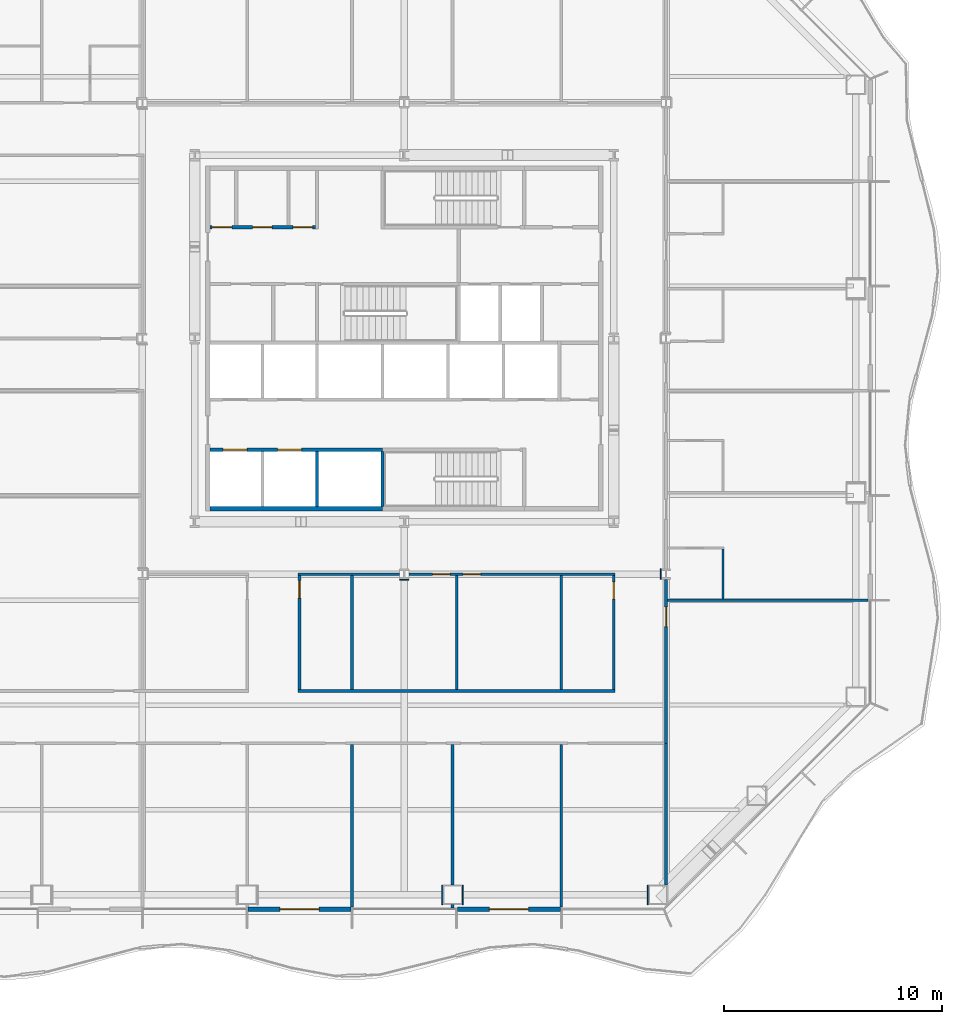
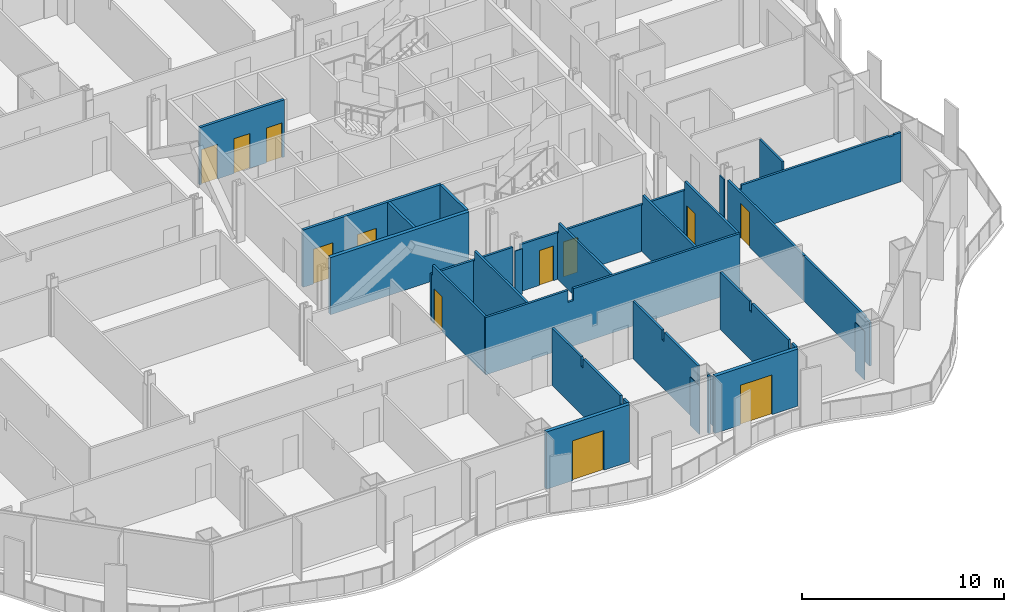
# One storey, part 9 of 18: 28 walls, 12 doors, 12 openings.
"""IFC4 building model written with IfcOpenShell, lengths in metres."""

import ifcopenshell
import ifcopenshell.guid

model = None  # the IFC model being written
_history = None  # IfcOwnerHistory: only IFC2X3 demands one
_inside = {}  # id of a spatial element -> (the spatial element, [elements in it])
_under = {}  # id of a project, library or spatial element -> (it, [spatial elements below it])
_declared = {}  # id of a project -> (the project, [libraries it declares])
_typed = {}  # id of a type object -> (the type object, [elements of that type])
_made_of = {}  # id of a material, layer set ... -> (it, [elements and type objects made of it])


def new_model(schema):
    """Start an empty IFC model of exactly this schema.

    Asked for "IFC4X3", IfcOpenShell would pick the latest addendum, in which some entities
    have other attributes; the version numbers below select the first issue.
    IFC2X3 requires an IfcOwnerHistory on every rooted entity: one is made here for all.
    """
    global model, _history
    if schema == "IFC4X3":
        model = ifcopenshell.file(schema_version=(4, 3, 0, 0))
    else:
        model = ifcopenshell.file(schema=schema)
    _inside.clear()
    _under.clear()
    _declared.clear()
    _typed.clear()
    _made_of.clear()
    _history = None
    if model.schema == "IFC2X3":
        org = make("IfcOrganization", Name="unknown")
        user = make(
            "IfcPersonAndOrganization",
            ThePerson=make("IfcPerson", FamilyName="unknown"),
            TheOrganization=org,
        )
        app = make(
            "IfcApplication",
            ApplicationDeveloper=org,
            Version="unknown",
            ApplicationFullName="unknown",
            ApplicationIdentifier="unknown",
        )
        _history = make(
            "IfcOwnerHistory",
            OwningUser=user,
            OwningApplication=app,
            ChangeAction="ADDED",
            CreationDate=0,
        )
    return model


def make(cls, **values):
    """One entity of the class cls with the attributes given. An attribute that is None is left unset."""
    return model.create_entity(
        cls, **{name: value for name, value in values.items() if value is not None}
    )


def rooted(cls, **values):
    """An entity with a GlobalId (a new one), such as an element, a storey or a relation."""
    return make(cls, GlobalId=ifcopenshell.guid.new(), OwnerHistory=_history, **values)


def si_unit(unit_type, name, prefix=None):
    """IfcSIUnit, for example si_unit("LENGTHUNIT", "METRE", prefix="MILLI")."""
    return make("IfcSIUnit", UnitType=unit_type, Prefix=prefix, Name=name)


def assignment(units):
    """IfcUnitAssignment: the units of a project."""
    return None if units is None else make("IfcUnitAssignment", Units=units)


def point(xyz):
    """IfcCartesianPoint."""
    return None if xyz is None else make("IfcCartesianPoint", Coordinates=xyz)


def direction(xyz):
    """IfcDirection."""
    return None if xyz is None else make("IfcDirection", DirectionRatios=xyz)


def frame(location, z_axis=None, x_axis=None):
    """IfcAxis2Placement3D, a coordinate frame: its origin and axes. An axis left out is left unset."""
    return make(
        "IfcAxis2Placement3D",
        Location=point(location),
        Axis=direction(z_axis),
        RefDirection=direction(x_axis),
    )


def frame_2d(location, x_axis=None):
    """IfcAxis2Placement2D, a coordinate frame in the plane: its origin and x axis."""
    return make(
        "IfcAxis2Placement2D", Location=point(location), RefDirection=direction(x_axis)
    )


def origin():
    """The frame at (0, 0, 0) with its axes left unset."""
    return frame((0.0, 0.0, 0.0))


def place(relative_to, where):
    """IfcLocalPlacement: puts the frame where relative to a parent placement (None: the world)."""
    return make(
        "IfcLocalPlacement", PlacementRelTo=relative_to, RelativePlacement=where
    )


def context(
    kind, dimensions, precision=None, world=None, true_north=None, identifier=None
):
    """IfcGeometricRepresentationContext, for example the 3D "Model" context."""
    return make(
        "IfcGeometricRepresentationContext",
        ContextIdentifier=identifier,
        ContextType=kind,
        CoordinateSpaceDimension=dimensions,
        Precision=precision,
        WorldCoordinateSystem=world,
        TrueNorth=true_north,
    )


def subcontext(parent, identifier, kind, view, scale=None):
    """IfcGeometricRepresentationSubContext, for example "Body" below "Model"."""
    return make(
        "IfcGeometricRepresentationSubContext",
        ContextIdentifier=identifier,
        ContextType=kind,
        ParentContext=parent,
        TargetScale=scale,
        TargetView=view,
    )


def project(units=None, contexts=None):
    """IfcProject with its units and contexts."""
    return rooted(
        "IfcProject",
        Name="project",
        RepresentationContexts=contexts,
        UnitsInContext=assignment(units),
    )


def spatial(cls, under=None, at=None, **own):
    """A site, building, storey or space (cls), placed at a placement, below another one or the project."""
    s = rooted(cls, ObjectPlacement=at, **own)
    if under is not None:
        _under.setdefault(under.id(), (under, []))[1].append(s)
    return s


def polyline(points):
    """IfcPolyline through the points."""
    return make("IfcPolyline", Points=[point(p) for p in points])


def profile(cls, at=None, kind="AREA", **sizes):
    """A parametric profile (cls). Its sizes go by their IFC names, for example OverallWidth=200.0."""
    return make(cls, ProfileType=kind, Position=at, **sizes)


def rectangle(**sizes):
    """IfcRectangleProfileDef."""
    return profile("IfcRectangleProfileDef", **sizes)


def outline(outer, holes=None, kind="AREA"):
    """IfcArbitraryClosedProfileDef: a profile drawn as a closed curve; with holes, ...WithVoids."""
    if holes is None:
        return make("IfcArbitraryClosedProfileDef", ProfileType=kind, OuterCurve=outer)
    return make(
        "IfcArbitraryProfileDefWithVoids",
        ProfileType=kind,
        OuterCurve=outer,
        InnerCurves=holes,
    )


def extrude(swept, where, along, depth):
    """IfcExtrudedAreaSolid: the profile swept, set in the frame where, extruded along a direction by depth."""
    return make(
        "IfcExtrudedAreaSolid",
        SweptArea=swept,
        Position=where,
        ExtrudedDirection=direction(along),
        Depth=depth,
    )


def shape(context_of_items, identifier, shape_type, items):
    """IfcShapeRepresentation: the items that make up one representation, for example the "Body"."""
    return make(
        "IfcShapeRepresentation",
        ContextOfItems=context_of_items,
        RepresentationIdentifier=identifier,
        RepresentationType=shape_type,
        Items=items,
    )


def material(Name=None, Category=None):
    """IfcMaterial."""
    return make("IfcMaterial", Name=Name, Category=Category)


def layer(
    of_material, thickness, ventilated=None, Name=None, Category=None, Priority=None
):
    """IfcMaterialLayer: one layer of a wall or slab, of a material (None: an air gap)."""
    return make(
        "IfcMaterialLayer",
        Material=of_material,
        LayerThickness=thickness,
        IsVentilated=ventilated,
        Name=Name,
        Category=Category,
        Priority=Priority,
    )


def layer_set(layers, Name=None):
    """IfcMaterialLayerSet."""
    return make("IfcMaterialLayerSet", MaterialLayers=layers, LayerSetName=Name)


def made_of(thing, what):
    """Note that an element or type object is made of a material, layer set ...; save() writes the relation."""
    if what is not None:
        _made_of.setdefault(what.id(), (what, []))[1].append(thing)
    return thing


def type_object(cls, material=None, **own):
    """A type object (cls), such as IfcWallType, which elements share."""
    return made_of(rooted(cls, **own), material)


def element(
    cls,
    number,
    at=None,
    inside=None,
    cuts=None,
    type_object=None,
    material=None,
    context=None,
    identifier="Body",
    shape_type=None,
    held_by="IfcProductDefinitionShape",
    body=None,
    shapes=None,
    **own,
):
    """One element of the class cls, such as IfcWall. Its Tag is "e" and its number.

    at: its placement. inside: the storey or other place that contains it. cuts: it is an
    opening in that element (IfcRelVoidsElement). A single representation is given by context,
    identifier, shape_type and body (its items); several are given by shapes. held_by: the class
    of the entity that holds the representations. save() writes the other relations.
    """
    e = rooted(cls, Tag="e%d" % number, ObjectPlacement=at, **own)
    if body is not None:
        shapes = [shape(context, identifier, shape_type, body)]
    if shapes is not None:
        e.Representation = make(held_by, Representations=shapes)
    if inside is not None:
        _inside.setdefault(inside.id(), (inside, []))[1].append(e)
    if cuts is not None:
        rooted(
            "IfcRelVoidsElement", RelatingBuildingElement=cuts, RelatedOpeningElement=e
        )
    if type_object is not None:
        _typed.setdefault(type_object.id(), (type_object, []))[1].append(e)
    return made_of(e, material)


def fill(opening, filler):
    """IfcRelFillsElement: the door or window that sits in an opening."""
    return rooted(
        "IfcRelFillsElement",
        RelatingOpeningElement=opening,
        RelatedBuildingElement=filler,
    )


def aggregate(whole, parts):
    """IfcRelAggregates: a whole, such as a stair, and the parts it consists of."""
    return rooted("IfcRelAggregates", RelatingObject=whole, RelatedObjects=parts)


def save(model, path):
    """Write the relations noted so far, then the file.

    IfcRelAggregates (storeys below a building ...), IfcRelContainedInSpatialStructure (elements
    in a storey), IfcRelDefinesByType, IfcRelAssociatesMaterial and IfcRelDeclares: one each for
    every whole, place, type object, material and project.
    """
    for whole, parts in _under.values():
        aggregate(whole, parts)
    for where, things in _inside.values():
        rooted(
            "IfcRelContainedInSpatialStructure",
            RelatedElements=things,
            RelatingStructure=where,
        )
    for kind, things in _typed.values():
        rooted("IfcRelDefinesByType", RelatedObjects=things, RelatingType=kind)
    for what, things in _made_of.values():
        rooted("IfcRelAssociatesMaterial", RelatedObjects=things, RelatingMaterial=what)
    for by, libraries in _declared.values():
        rooted("IfcRelDeclares", RelatingContext=by, RelatedDefinitions=libraries)
    model.write(path)


model = new_model("IFC4")

# Units and contexts
model_context = context("Model", 3, precision=1e-05, world=origin(), true_north=direction((0.0, 1.0)))
body_context = subcontext(model_context, "Body", "Model", "MODEL_VIEW")
ifc_project = project(units=[si_unit("LENGTHUNIT", "METRE"), si_unit("AREAUNIT", "SQUARE_METRE"), si_unit("VOLUMEUNIT", "CUBIC_METRE"), si_unit("PLANEANGLEUNIT", "RADIAN"), si_unit("MASSUNIT", "GRAM", prefix="KILO")], contexts=[model_context])

# Site, building, storey
site_placement = place(None, origin())
site = spatial("IfcSite", under=ifc_project, at=site_placement, CompositionType="ELEMENT")
building_placement = place(site_placement, origin())
building = spatial("IfcBuilding", under=site, at=building_placement, Name="Cairn Pilgrim Tower", CompositionType="ELEMENT")
storey_placement = place(building_placement, frame((0.0, 0.0, 65.39990234375)))
storey = spatial("IfcBuildingStorey", under=building, at=storey_placement, Name="L14", CompositionType="ELEMENT", Elevation=65.39990234375)

# Wall, opening, door
ifc_material_1 = material(Name="Bronze anodised aluminium insulated sandwich panel with mineral wool fill", Category="aluminium")
ifc_layer_1 = layer(ifc_material_1, 0.199951171875)
ifc_layer_set_1 = layer_set([ifc_layer_1], Name="BRONZE INFILL FRAME WALL 200")
wall_type_1 = type_object("IfcWallType", Name="BRONZE INFILL FRAME WALL 200", PredefinedType="NOTDEFINED", material=ifc_layer_set_1)
wall_1_placement = place(storey_placement, frame((0.030029296875, -23.75, 0.0), z_axis=(0.0, 0.0, 1.0), x_axis=(1.0, 0.0, 0.0)))
wall_1 = element("IfcWall", 1, at=wall_1_placement, inside=storey, type_object=wall_type_1, Name="Bronze infill frame wall IW-S5", PredefinedType="NOTDEFINED", context=body_context, shape_type="SweptSolid", body=[
    extrude(rectangle(XDim=4.739990234375, YDim=0.199951171875, at=frame_2d((2.3701171875, 0.0))), origin(), (0.0, 0.0, 1.0), 3.4501953125),
])
opening_1_placement = place(wall_1_placement, frame((1.469970703125, 0.0, 0.0)))
opening_1 = element("IfcOpeningElement", 2, at=opening_1_placement, cuts=wall_1, Name="Opening 1405B", PredefinedType="OPENING", context=body_context, shape_type="SweptSolid", body=[
    extrude(rectangle(XDim=1.800048828125, YDim=2.39990234375, at=frame_2d((0.89990234375, 1.199951171875))), frame((0.0, 0.10986328125, 0.0), z_axis=(0.0, -1.0, 0.0), x_axis=(1.0, 0.0, 0.0)), (0.0, 0.0, 1.0), 0.219970703125),
])
ifc_material_2 = material(Name="Bronze anodised aluminium frame with tinted low-E glass", Category="aluminium")
door_type_1 = type_object("IfcDoorType", Name="BALCONY SLIDING DOOR 1800x2400", OperationType="DOUBLE_DOOR_SLIDING", PredefinedType="DOOR", material=ifc_material_2)
door_1_placement = place(opening_1_placement, origin())
door_1 = element("IfcDoor", 3, at=door_1_placement, inside=storey, type_object=door_type_1, Name="Balcony sliding door 1405B", OperationType="SINGLE_SWING_LEFT", OverallHeight=2.39990234375, OverallWidth=1.800048828125, PredefinedType="DOOR", context=body_context, shape_type="SweptSolid", body=[
    extrude(rectangle(XDim=1.800048828125, YDim=2.39990234375, at=frame_2d((0.89990234375, 1.199951171875))), frame((0.0, 0.02490234375, 0.0), z_axis=(0.0, -1.0, 0.0), x_axis=(1.0, 0.0, 0.0)), (0.0, 0.0, 1.0), 0.050048828125),
])
fill(opening_1, door_1)

wall_2_placement = place(storey_placement, frame((9.6298828125, -23.75, 0.0), z_axis=(0.0, 0.0, 1.0), x_axis=(1.0, 0.0, 0.0)))
wall_2 = element("IfcWall", 4, at=wall_2_placement, inside=storey, type_object=wall_type_1, Name="Bronze infill frame wall IW-S7", PredefinedType="NOTDEFINED", context=body_context, shape_type="SweptSolid", body=[
    extrude(rectangle(XDim=4.740234375, YDim=0.199951171875, at=frame_2d((2.3701171875, 0.0))), origin(), (0.0, 0.0, 1.0), 3.4501953125),
])
opening_2_placement = place(wall_2_placement, frame((1.469970703125, 0.0, 0.0)))
opening_2 = element("IfcOpeningElement", 5, at=opening_2_placement, cuts=wall_2, Name="Opening 1407B", PredefinedType="OPENING", context=body_context, shape_type="SweptSolid", body=[
    extrude(rectangle(XDim=1.800048828125, YDim=2.39990234375, at=frame_2d((0.89990234375, 1.199951171875))), frame((0.0, 0.10986328125, 0.0), z_axis=(0.0, -1.0, 0.0), x_axis=(1.0, 0.0, 0.0)), (0.0, 0.0, 1.0), 0.219970703125),
])
door_2_placement = place(opening_2_placement, origin())
door_2 = element("IfcDoor", 6, at=door_2_placement, inside=storey, type_object=door_type_1, Name="Balcony sliding door 1407B", OperationType="SINGLE_SWING_LEFT", OverallHeight=2.39990234375, OverallWidth=1.800048828125, PredefinedType="DOOR", context=body_context, shape_type="SweptSolid", body=[
    extrude(rectangle(XDim=1.800048828125, YDim=2.39990234375, at=frame_2d((0.89990234375, 1.199951171875))), frame((0.0, 0.02490234375, 0.0), z_axis=(0.0, -1.0, 0.0), x_axis=(1.0, 0.0, 0.0)), (0.0, 0.0, 1.0), 0.050048828125),
])
fill(opening_2, door_2)

# Wall
ifc_material_3 = material(Name="Concrete C32/40", Category="concrete")
ifc_layer_2 = layer(ifc_material_3, 0.199951171875)
ifc_layer_set_2 = layer_set([ifc_layer_2], Name="CORE OUTER WALL 200 EI 120")
wall_type_2 = type_object("IfcWallType", Name="CORE OUTER WALL 200 EI 120", PredefinedType="SOLIDWALL", material=ifc_layer_set_2)
wall_3_placement = place(storey_placement, frame((-1.699951171875, -5.39990234375, 0.0), z_axis=(0.0, 0.0, 1.0), x_axis=(1.0, 0.0, 0.0)))
element("IfcWall", 7, at=wall_3_placement, inside=storey, type_object=wall_type_2, Name="CW:L14:H01-1", PredefinedType="SOLIDWALL", context=body_context, shape_type="SweptSolid", body=[
    extrude(rectangle(XDim=7.89990234375, YDim=0.199951171875, at=frame_2d((3.949951171875, 0.0))), origin(), (0.0, 0.0, 1.0), 3.4501953125),
])

# Wall, openings, doors
ifc_layer_3 = layer(ifc_material_3, 0.14990234375)
ifc_layer_set_3 = layer_set([ifc_layer_3], Name="CORE PARTITION 150 EI 60")
wall_type_3 = type_object("IfcWallType", Name="CORE PARTITION 150 EI 60", PredefinedType="PARTITIONING", material=ifc_layer_set_3)
wall_4_placement = place(storey_placement, frame((-1.699951171875, 7.5, 0.0), z_axis=(0.0, 0.0, 1.0), x_axis=(1.0, 0.0, 0.0)))
wall_4 = element("IfcWall", 8, at=wall_4_placement, inside=storey, type_object=wall_type_3, Name="CW:L14:H09", PredefinedType="PARTITIONING", context=body_context, shape_type="SweptSolid", body=[
    extrude(rectangle(XDim=4.824951171875, YDim=0.14990234375, at=frame_2d((2.41259765625, 0.0))), origin(), (0.0, 0.0, 1.0), 3.4501953125),
])
opening_3_placement = place(wall_4_placement, frame((0.10009765625, 0.0, 0.0)))
opening_3 = element("IfcOpeningElement", 9, at=opening_3_placement, cuts=wall_4, Name="Opening RD-R4W1", PredefinedType="OPENING", context=body_context, shape_type="SweptSolid", body=[
    extrude(rectangle(XDim=0.89990234375, YDim=2.10009765625, at=frame_2d((0.449951171875, 1.050048828125))), frame((0.0, 0.0849609375, 0.0), z_axis=(0.0, -1.0, 0.0), x_axis=(1.0, 0.0, 0.0)), (0.0, 0.0, 1.0), 0.169921875),
])
opening_4_placement = place(wall_4_placement, frame((1.949951171875, 0.0, 0.0)))
opening_4 = element("IfcOpeningElement", 10, at=opening_4_placement, cuts=wall_4, Name="Opening RD-R4W2", PredefinedType="OPENING", context=body_context, shape_type="SweptSolid", body=[
    extrude(rectangle(XDim=0.89990234375, YDim=2.10009765625, at=frame_2d((0.449951171875, 1.050048828125))), frame((0.0, 0.0849609375, 0.0), z_axis=(0.0, -1.0, 0.0), x_axis=(1.0, 0.0, 0.0)), (0.0, 0.0, 1.0), 0.169921875),
])
opening_5_placement = place(wall_4_placement, frame((3.800048828125, 0.0, 0.0)))
opening_5 = element("IfcOpeningElement", 11, at=opening_5_placement, cuts=wall_4, Name="Opening RD-R4W3", PredefinedType="OPENING", context=body_context, shape_type="SweptSolid", body=[
    extrude(rectangle(XDim=0.89990234375, YDim=2.10009765625, at=frame_2d((0.449951171875, 1.050048828125))), frame((0.0, 0.0849609375, 0.0), z_axis=(0.0, -1.0, 0.0), x_axis=(1.0, 0.0, 0.0)), (0.0, 0.0, 1.0), 0.169921875),
])
ifc_material_4 = material(Name="Painted steel", Category="steel")
door_type_2 = type_object("IfcDoorType", Name="SERVICE ROOM DOOR 900x2100", OperationType="SINGLE_SWING_LEFT", PredefinedType="DOOR", material=ifc_material_4)
door_3_placement = place(opening_3_placement, origin())
door_3 = element("IfcDoor", 12, at=door_3_placement, inside=storey, type_object=door_type_2, Name="RD-R4W1", OperationType="SINGLE_SWING_RIGHT", OverallHeight=2.10009765625, OverallWidth=0.89990234375, PredefinedType="DOOR", context=body_context, shape_type="SweptSolid", body=[
    extrude(rectangle(XDim=0.89990234375, YDim=2.10009765625, at=frame_2d((0.449951171875, 1.050048828125))), frame((0.0, 0.02490234375, 0.0), z_axis=(0.0, -1.0, 0.0), x_axis=(1.0, 0.0, 0.0)), (0.0, 0.0, 1.0), 0.050048828125),
])
fill(opening_3, door_3)
door_4_placement = place(opening_4_placement, origin())
door_4 = element("IfcDoor", 13, at=door_4_placement, inside=storey, type_object=door_type_2, Name="RD-R4W2", OperationType="SINGLE_SWING_LEFT", OverallHeight=2.10009765625, OverallWidth=0.89990234375, PredefinedType="DOOR", context=body_context, shape_type="SweptSolid", body=[
    extrude(rectangle(XDim=0.89990234375, YDim=2.10009765625, at=frame_2d((0.449951171875, 1.050048828125))), frame((0.0, 0.02490234375, 0.0), z_axis=(0.0, -1.0, 0.0), x_axis=(1.0, 0.0, 0.0)), (0.0, 0.0, 1.0), 0.050048828125),
])
fill(opening_4, door_4)
door_5_placement = place(opening_5_placement, origin())
door_5 = element("IfcDoor", 14, at=door_5_placement, inside=storey, type_object=door_type_2, Name="RD-R4W3", OperationType="SINGLE_SWING_RIGHT", OverallHeight=2.10009765625, OverallWidth=0.89990234375, PredefinedType="DOOR", context=body_context, shape_type="SweptSolid", body=[
    extrude(rectangle(XDim=0.89990234375, YDim=2.10009765625, at=frame_2d((0.449951171875, 1.050048828125))), frame((0.0, 0.02490234375, 0.0), z_axis=(0.0, -1.0, 0.0), x_axis=(1.0, 0.0, 0.0)), (0.0, 0.0, 1.0), 0.050048828125),
])
fill(opening_5, door_5)

ifc_layer_4 = layer(ifc_material_3, 0.14990234375)
ifc_layer_set_4 = layer_set([ifc_layer_4], Name="CORE SHAFT WALL 150 EI 120")
wall_type_4 = type_object("IfcWallType", Name="CORE SHAFT WALL 150 EI 120", PredefinedType="SOLIDWALL", material=ifc_layer_set_4)
wall_5_placement = place(storey_placement, frame((-1.699951171875, -2.699951171875, 0.0), z_axis=(0.0, 0.0, 1.0), x_axis=(1.0, 0.0, 0.0)))
wall_5 = element("IfcWall", 15, at=wall_5_placement, inside=storey, type_object=wall_type_4, Name="CW:L14:H02-1", PredefinedType="SOLIDWALL", context=body_context, shape_type="SweptSolid", body=[
    extrude(rectangle(XDim=7.89990234375, YDim=0.14990234375, at=frame_2d((3.949951171875, 0.0))), origin(), (0.0, 0.0, 1.0), 3.4501953125),
])
opening_6_placement = place(wall_5_placement, frame((0.60009765625, 0.0, 0.0)))
opening_6 = element("IfcOpeningElement", 16, at=opening_6_placement, cuts=wall_5, Name="Opening LD-LR1", PredefinedType="OPENING", context=body_context, shape_type="SweptSolid", body=[
    extrude(rectangle(XDim=1.10009765625, YDim=2.10009765625, at=frame_2d((0.550048828125, 1.050048828125))), frame((0.0, 0.0849609375, 0.0), z_axis=(0.0, -1.0, 0.0), x_axis=(1.0, 0.0, 0.0)), (0.0, 0.0, 1.0), 0.169921875),
])
opening_7_placement = place(wall_5_placement, frame((3.10009765625, 0.0, 0.0)))
opening_7 = element("IfcOpeningElement", 17, at=opening_7_placement, cuts=wall_5, Name="Opening LD-LR2", PredefinedType="OPENING", context=body_context, shape_type="SweptSolid", body=[
    extrude(rectangle(XDim=1.10009765625, YDim=2.10009765625, at=frame_2d((0.550048828125, 1.050048828125))), frame((0.0, 0.0849609375, 0.0), z_axis=(0.0, -1.0, 0.0), x_axis=(1.0, 0.0, 0.0)), (0.0, 0.0, 1.0), 0.169921875),
])
ifc_material_5 = material(Name="Stainless steel", Category="steel")
door_type_3 = type_object("IfcDoorType", Name="LIFT LANDING DOOR 1100x2100", OperationType="DOUBLE_DOOR_SLIDING", PredefinedType="DOOR", material=ifc_material_5)
door_6_placement = place(opening_6_placement, origin())
door_6 = element("IfcDoor", 18, at=door_6_placement, inside=storey, type_object=door_type_3, Name="LANDING DOOR LR1", OperationType="DOUBLE_DOOR_SLIDING", OverallHeight=2.10009765625, OverallWidth=1.10009765625, PredefinedType="DOOR", context=body_context, shape_type="SweptSolid", body=[
    extrude(rectangle(XDim=1.10009765625, YDim=2.10009765625, at=frame_2d((0.550048828125, 1.050048828125))), frame((0.0, 0.02490234375, 0.0), z_axis=(0.0, -1.0, 0.0), x_axis=(1.0, 0.0, 0.0)), (0.0, 0.0, 1.0), 0.050048828125),
])
fill(opening_6, door_6)
door_7_placement = place(opening_7_placement, origin())
door_7 = element("IfcDoor", 19, at=door_7_placement, inside=storey, type_object=door_type_3, Name="LANDING DOOR LR2", OperationType="DOUBLE_DOOR_SLIDING", OverallHeight=2.10009765625, OverallWidth=1.10009765625, PredefinedType="DOOR", context=body_context, shape_type="SweptSolid", body=[
    extrude(rectangle(XDim=1.10009765625, YDim=2.10009765625, at=frame_2d((0.550048828125, 1.050048828125))), frame((0.0, 0.02490234375, 0.0), z_axis=(0.0, -1.0, 0.0), x_axis=(1.0, 0.0, 0.0)), (0.0, 0.0, 1.0), 0.050048828125),
])
fill(opening_7, door_7)

# Walls
wall_6_placement = place(storey_placement, frame((3.199951171875, -5.300048828125, 0.0), z_axis=(0.0, 0.0, 1.0), x_axis=(0.0, 1.0, 0.0)))
element("IfcWall", 20, at=wall_6_placement, inside=storey, type_object=wall_type_4, Name="CW:L14:V18", PredefinedType="SOLIDWALL", context=body_context, shape_type="SweptSolid", body=[
    extrude(rectangle(XDim=2.525146484375, YDim=0.14990234375, at=frame_2d((1.2626953125, 0.0))), origin(), (0.0, 0.0, 1.0), 3.4501953125),
])
ifc_material_6 = material(Name="Gypsum partition")
ifc_layer_5 = layer(ifc_material_6, 0.10009765625)
ifc_layer_set_5 = layer_set([ifc_layer_5], Name="PARTITION 100 DRYWALL")
wall_type_5 = type_object("IfcWallType", Name="PARTITION 100 DRYWALL", PredefinedType="PARTITIONING", material=ifc_layer_set_5)
wall_7_placement = place(storey_placement, frame((21.800048828125, -9.53759765625, 0.0), z_axis=(0.0, 0.0, 1.0), x_axis=(0.0, 1.0, 0.0)))
element("IfcWall", 21, at=wall_7_placement, inside=storey, type_object=wall_type_5, Name="PARTITION W028", PredefinedType="PARTITIONING", context=body_context, shape_type="SweptSolid", body=[
    extrude(outline(polyline([(0.0, 0.0), (2.28759765625, 0.0), (2.28759765625, 3.4501953125), (0.032470703125, 3.4501953125), (0.030517578125, 2.97998046875), (0.0, 2.97998046875), (0.0, 0.0)])), frame((0.0, 0.050048828125, 0.0), z_axis=(0.0, -1.0, 0.0), x_axis=(1.0, 0.0, 0.0)), (0.0, 0.0, 1.0), 0.10009765625),
])
ifc_layer_6 = layer(ifc_material_6, 0.125)
ifc_layer_set_6 = layer_set([ifc_layer_6], Name="PARTITION 125 DRYWALL EI 60")
wall_type_6 = type_object("IfcWallType", Name="PARTITION 125 DRYWALL EI 60", PredefinedType="PARTITIONING", material=ifc_layer_set_6)
wall_8_placement = place(storey_placement, frame((4.800048828125, -23.64990234375, 0.0), z_axis=(0.0, 0.0, 1.0), x_axis=(0.0, 1.0, 0.0)))
element("IfcWall", 22, at=wall_8_placement, inside=storey, type_object=wall_type_6, Name="PARTITION W004", PredefinedType="PARTITIONING", context=body_context, shape_type="SweptSolid", body=[
    extrude(outline(polyline([(0.0, 0.0), (7.4375, 0.0), (7.4375, 3.4501953125), (4.554931640625, 3.4501953125), (4.552978515625, 2.880126953125), (4.344970703125, 2.880126953125), (4.343017578125, 3.4501953125), (0.699951171875, 3.4501953125), (0.697998046875, 2.93017578125), (0.39990234375, 2.93017578125), (0.39794921875, 3.4501953125), (0.0, 3.4501953125), (0.0, 0.0)])), frame((0.0, 0.0625, 0.0), z_axis=(0.0, -1.0, 0.0), x_axis=(1.0, 0.0, 0.0)), (0.0, 0.0, 1.0), 0.125),
])
wall_9_placement = place(storey_placement, frame((9.4140625, -23.702880859375, 0.0), z_axis=(0.0, 0.0, 1.0), x_axis=(0.0, 1.0, 0.0)))
element("IfcWall", 23, at=wall_9_placement, inside=storey, type_object=wall_type_6, Name="PARTITION W005", PredefinedType="PARTITIONING", context=body_context, shape_type="SweptSolid", body=[
    extrude(rectangle(XDim=0.15283203125, YDim=0.125, at=frame_2d((0.076416015625, 0.0))), origin(), (0.0, 0.0, 1.0), 3.4501953125),
])
wall_10_placement = place(storey_placement, frame((14.39990234375, -23.64990234375, 0.0), z_axis=(0.0, 0.0, 1.0), x_axis=(0.0, 1.0, 0.0)))
element("IfcWall", 24, at=wall_10_placement, inside=storey, type_object=wall_type_6, Name="PARTITION W006", PredefinedType="PARTITIONING", context=body_context, shape_type="SweptSolid", body=[
    extrude(outline(polyline([(0.0, 0.0), (7.4375, 0.0), (7.4375, 3.4501953125), (4.554931640625, 3.4501953125), (4.552978515625, 2.880126953125), (4.344970703125, 2.880126953125), (4.343017578125, 3.4501953125), (0.699951171875, 3.4501953125), (0.697998046875, 2.93017578125), (0.39990234375, 2.93017578125), (0.39794921875, 3.4501953125), (0.0, 3.4501953125), (0.0, 0.0)])), frame((0.0, 0.0625, 0.0), z_axis=(0.0, -1.0, 0.0), x_axis=(1.0, 0.0, 0.0)), (0.0, 0.0, 1.0), 0.125),
])
wall_11_placement = place(storey_placement, frame((9.4140625, -22.64990234375, 0.0), z_axis=(0.0, 0.0, 1.0), x_axis=(0.0, 1.0, 0.0)))
element("IfcWall", 25, at=wall_11_placement, inside=storey, type_object=wall_type_6, Name="PARTITION W009", PredefinedType="PARTITIONING", context=body_context, shape_type="SweptSolid", body=[
    extrude(outline(polyline([(0.0, 0.0), (6.4375, 0.0), (6.4375, 3.4501953125), (3.554931640625, 3.4501953125), (3.552978515625, 2.880126953125), (3.344970703125, 2.880126953125), (3.343017578125, 3.4501953125), (0.0, 3.4501953125), (0.0, 0.0)])), frame((0.0, 0.0625, 0.0), z_axis=(0.0, -1.0, 0.0), x_axis=(1.0, 0.0, 0.0)), (0.0, 0.0, 1.0), 0.125),
])
wall_12_placement = place(storey_placement, frame((19.199951171875, -22.64990234375, 0.0), z_axis=(0.0, 0.0, 1.0), x_axis=(0.0, 1.0, 0.0)))
element("IfcWall", 26, at=wall_12_placement, inside=storey, type_object=wall_type_6, Name="PARTITION W010", PredefinedType="PARTITIONING", context=body_context, shape_type="SweptSolid", body=[
    extrude(outline(polyline([(0.0, 0.0), (6.5, 0.0), (6.5, 2.72998046875), (0.480224609375, 2.72998046875), (0.478271484375, 2.630126953125), (0.0, 2.630126953125), (0.0, 0.0)])), frame((0.0, 0.0625, 0.0), z_axis=(0.0, -1.0, 0.0), x_axis=(1.0, 0.0, 0.0)), (0.0, 0.0, 1.0), 0.125),
])

# Wall, opening, door
wall_13_placement = place(storey_placement, frame((19.199951171875, -16.14990234375, 0.0), z_axis=(0.0, 0.0, 1.0), x_axis=(0.0, 1.0, 0.0)))
wall_13 = element("IfcWall", 27, at=wall_13_placement, inside=storey, type_object=wall_type_6, Name="PARTITION W015", PredefinedType="PARTITIONING", context=body_context, shape_type="SweptSolid", body=[
    extrude(rectangle(XDim=7.512939453125, YDim=0.125, at=frame_2d((3.75634765625, 0.0))), origin(), (0.0, 0.0, 1.0), 2.72998046875),
])
opening_8_placement = place(wall_13_placement, frame((5.35009765625, 0.0, 0.0)))
opening_8 = element("IfcOpeningElement", 28, at=opening_8_placement, cuts=wall_13, Name="Opening 1423", PredefinedType="OPENING", context=body_context, shape_type="SweptSolid", body=[
    extrude(rectangle(XDim=0.89990234375, YDim=2.10009765625, at=frame_2d((0.449951171875, 1.050048828125))), frame((0.0, 0.072509765625, 0.0), z_axis=(0.0, -1.0, 0.0), x_axis=(1.0, 0.0, 0.0)), (0.0, 0.0, 1.0), 0.14501953125),
])
ifc_material_7 = material(Name="Steel-faced fire door leaf", Category="steel")
door_type_4 = type_object("IfcDoorType", Name="FIRE DOOR 900x2100 FD30S", OperationType="NOTDEFINED", PredefinedType="DOOR", material=ifc_material_7)
door_8_placement = place(opening_8_placement, frame((0.89990234375, 0.0, 0.0), z_axis=(0.0, 0.0, 1.0), x_axis=(-1.0, 0.0, 0.0)))
door_8 = element("IfcDoor", 29, at=door_8_placement, inside=storey, type_object=door_type_4, Name="DOOR 1423", OperationType="SINGLE_SWING_RIGHT", OverallHeight=2.10009765625, OverallWidth=0.89990234375, PredefinedType="DOOR", context=body_context, shape_type="SweptSolid", body=[
    extrude(rectangle(XDim=0.89990234375, YDim=2.10009765625, at=frame_2d((0.449951171875, 1.050048828125))), frame((0.0, 0.02490234375, 0.0), z_axis=(0.0, -1.0, 0.0), x_axis=(1.0, 0.0, 0.0)), (0.0, 0.0, 1.0), 0.050048828125),
])
fill(opening_8, door_8)

# Wall
wall_14_placement = place(storey_placement, frame((2.33740234375, -13.75, 0.0), z_axis=(0.0, 0.0, 1.0), x_axis=(1.0, 0.0, 0.0)))
element("IfcWall", 30, at=wall_14_placement, inside=storey, type_object=wall_type_6, Name="PARTITION W017", PredefinedType="PARTITIONING", context=body_context, shape_type="SweptSolid", body=[
    extrude(outline(polyline([(0.0, 0.0), (14.525146484375, 0.0), (14.52490234375, 3.4501953125), (5.012451171875, 3.4501953125), (5.010498046875, 2.72998046875), (4.71240234375, 2.72998046875), (4.71044921875, 3.4501953125), (0.0, 3.4501953125), (0.0, 0.0)])), frame((0.0, 0.0625, 0.0), z_axis=(0.0, -1.0, 0.0), x_axis=(1.0, 0.0, 0.0)), (0.0, 0.0, 1.0), 0.125),
])

# Wall, opening, door
wall_15_placement = place(storey_placement, frame((2.39990234375, -13.6875, 0.0), z_axis=(0.0, 0.0, 1.0), x_axis=(0.0, 1.0, 0.0)))
wall_15 = element("IfcWall", 31, at=wall_15_placement, inside=storey, type_object=wall_type_6, Name="PARTITION W022", PredefinedType="PARTITIONING", context=body_context, shape_type="SweptSolid", body=[
    extrude(outline(polyline([(0.0, 0.0), (5.22509765625, 0.0), (5.22509765625, 2.830078125), (5.137451171875, 2.830078125), (5.135498046875, 3.4501953125), (0.0, 3.4501953125), (0.0, 0.0)])), frame((0.0, 0.0625, 0.0), z_axis=(0.0, -1.0, 0.0), x_axis=(1.0, 0.0, 0.0)), (0.0, 0.0, 1.0), 0.125),
])
opening_9_placement = place(wall_15_placement, frame((4.1875, 0.0, 0.0)))
opening_9 = element("IfcOpeningElement", 32, at=opening_9_placement, cuts=wall_15, Name="Opening 1436", PredefinedType="OPENING", context=body_context, shape_type="SweptSolid", body=[
    extrude(rectangle(XDim=0.800048828125, YDim=2.10009765625, at=frame_2d((0.39990234375, 1.050048828125))), frame((0.0, 0.072509765625, 0.0), z_axis=(0.0, -1.0, 0.0), x_axis=(1.0, 0.0, 0.0)), (0.0, 0.0, 1.0), 0.14501953125),
])
door_type_5 = type_object("IfcDoorType", Name="FIRE DOOR 800x2100 FD30S", OperationType="NOTDEFINED", PredefinedType="DOOR", material=ifc_material_7)
door_9_placement = place(opening_9_placement, frame((0.800048828125, 0.0, 0.0), z_axis=(0.0, 0.0, 1.0), x_axis=(-1.0, 0.0, 0.0)))
door_9 = element("IfcDoor", 33, at=door_9_placement, inside=storey, type_object=door_type_5, Name="DOOR 1436", OperationType="SINGLE_SWING_LEFT", OverallHeight=2.10009765625, OverallWidth=0.800048828125, PredefinedType="DOOR", context=body_context, shape_type="SweptSolid", body=[
    extrude(rectangle(XDim=0.800048828125, YDim=2.10009765625, at=frame_2d((0.39990234375, 1.050048828125))), frame((0.0, 0.02490234375, 0.0), z_axis=(0.0, -1.0, 0.0), x_axis=(1.0, 0.0, 0.0)), (0.0, 0.0, 1.0), 0.050048828125),
])
fill(opening_9, door_9)

# Walls
for number, where, z_axis, x_axis, name in (
    (34, (4.800048828125, -13.6875, 0.0), (0.0, 0.0, 1.0), (0.0, 1.0, 0.0), "PARTITION W023"),
    (35, (9.60009765625, -13.6875, 0.0), (0.0, 0.0, 1.0), (0.0, 1.0, 0.0), "PARTITION W024"),
    (36, (14.39990234375, -13.6875, 0.0), (0.0, 0.0, 1.0), (0.0, 1.0, 0.0), "PARTITION W025"),
):
    element("IfcWall", number, at=place(storey_placement, frame(where, z_axis=z_axis, x_axis=x_axis)), inside=storey, type_object=wall_type_6, Name=name, PredefinedType="PARTITIONING", context=body_context, shape_type="SweptSolid", body=[
        extrude(outline(polyline([(0.0, 0.0), (5.22509765625, 0.0), (5.22509765625, 2.830078125), (5.137451171875, 2.830078125), (5.135498046875, 3.4501953125), (0.0, 3.4501953125), (0.0, 0.0)])), frame((0.0, 0.0625, 0.0), z_axis=(0.0, -1.0, 0.0), x_axis=(1.0, 0.0, 0.0)), (0.0, 0.0, 1.0), 0.125),
    ])

# Wall, opening, door
wall_16_placement = place(storey_placement, frame((16.800048828125, -13.6875, 0.0), z_axis=(0.0, 0.0, 1.0), x_axis=(0.0, 1.0, 0.0)))
wall_16 = element("IfcWall", 37, at=wall_16_placement, inside=storey, type_object=wall_type_6, Name="PARTITION W026", PredefinedType="PARTITIONING", context=body_context, shape_type="SweptSolid", body=[
    extrude(outline(polyline([(0.0, 0.0), (5.22509765625, 0.0), (5.22509765625, 2.830078125), (5.137451171875, 2.830078125), (5.135498046875, 3.4501953125), (0.0, 3.4501953125), (0.0, 0.0)])), frame((0.0, 0.0625, 0.0), z_axis=(0.0, -1.0, 0.0), x_axis=(1.0, 0.0, 0.0)), (0.0, 0.0, 1.0), 0.125),
])
opening_10_placement = place(wall_16_placement, frame((4.137451171875, 0.0, 0.0)))
opening_10 = element("IfcOpeningElement", 38, at=opening_10_placement, cuts=wall_16, Name="Opening 1439", PredefinedType="OPENING", context=body_context, shape_type="SweptSolid", body=[
    extrude(rectangle(XDim=0.800048828125, YDim=2.10009765625, at=frame_2d((0.39990234375, 1.050048828125))), frame((0.0, 0.072509765625, 0.0), z_axis=(0.0, -1.0, 0.0), x_axis=(1.0, 0.0, 0.0)), (0.0, 0.0, 1.0), 0.14501953125),
])
door_10_placement = place(opening_10_placement, origin())
door_10 = element("IfcDoor", 39, at=door_10_placement, inside=storey, type_object=door_type_5, Name="DOOR 1439", OperationType="SINGLE_SWING_RIGHT", OverallHeight=2.10009765625, OverallWidth=0.800048828125, PredefinedType="DOOR", context=body_context, shape_type="SweptSolid", body=[
    extrude(rectangle(XDim=0.800048828125, YDim=2.10009765625, at=frame_2d((0.39990234375, 1.050048828125))), frame((0.0, 0.02490234375, 0.0), z_axis=(0.0, -1.0, 0.0), x_axis=(1.0, 0.0, 0.0)), (0.0, 0.0, 1.0), 0.050048828125),
])
fill(opening_10, door_10)

# Walls
wall_17_placement = place(storey_placement, frame((19.262451171875, -9.60009765625, 0.0), z_axis=(0.0, 0.0, 1.0), x_axis=(1.0, 0.0, 0.0)))
element("IfcWall", 40, at=wall_17_placement, inside=storey, type_object=wall_type_6, Name="PARTITION W027", PredefinedType="PARTITIONING", context=body_context, shape_type="SweptSolid", body=[
    extrude(outline(polyline([(0.0, 0.0), (9.1875, 0.0), (9.1875, 2.97998046875), (8.78759765625, 2.97998046875), (8.785400390625, 2.93017578125), (8.487548828125, 2.93017578125), (8.485595703125, 2.97998046875), (0.08740234375, 2.97998046875), (0.08544921875, 2.72998046875), (0.0, 2.72998046875), (0.0, 0.0)])), frame((0.0, 0.0625, 0.0), z_axis=(0.0, -1.0, 0.0), x_axis=(1.0, 0.0, 0.0)), (0.0, 0.0, 1.0), 0.125),
])
wall_18_placement = place(storey_placement, frame((2.33740234375, -8.39990234375, 0.0), z_axis=(0.0, 0.0, 1.0), x_axis=(1.0, 0.0, 0.0)))
element("IfcWall", 41, at=wall_18_placement, inside=storey, type_object=wall_type_6, Name="PARTITION W031", PredefinedType="PARTITIONING", context=body_context, shape_type="SweptSolid", body=[
    extrude(rectangle(XDim=4.650634765625, YDim=0.125, at=frame_2d((2.3251953125, 0.0))), origin(), (0.0, 0.0, 1.0), 2.830078125),
])

# Wall, openings, doors
wall_19_placement = place(storey_placement, frame((7.412109375, -8.39990234375, 0.0), z_axis=(0.0, 0.0, 1.0), x_axis=(1.0, 0.0, 0.0)))
wall_19 = element("IfcWall", 42, at=wall_19_placement, inside=storey, type_object=wall_type_6, Name="PARTITION W032", PredefinedType="PARTITIONING", context=body_context, shape_type="SweptSolid", body=[
    extrude(rectangle(XDim=9.450439453125, YDim=0.125, at=frame_2d((4.72509765625, 0.0))), origin(), (0.0, 0.0, 1.0), 2.830078125),
])
opening_11_placement = place(wall_19_placement, frame((1.087890625, 0.0, 0.0)))
opening_11 = element("IfcOpeningElement", 43, at=opening_11_placement, cuts=wall_19, Name="Opening 1437", PredefinedType="OPENING", context=body_context, shape_type="SweptSolid", body=[
    extrude(rectangle(XDim=0.800048828125, YDim=2.10009765625, at=frame_2d((0.39990234375, 1.050048828125))), frame((0.0, 0.072509765625, 0.0), z_axis=(0.0, -1.0, 0.0), x_axis=(1.0, 0.0, 0.0)), (0.0, 0.0, 1.0), 0.14501953125),
])
opening_12_placement = place(wall_19_placement, frame((2.488037109375, 0.0, 0.0)))
opening_12 = element("IfcOpeningElement", 44, at=opening_12_placement, cuts=wall_19, Name="Opening 1438", PredefinedType="OPENING", context=body_context, shape_type="SweptSolid", body=[
    extrude(rectangle(XDim=0.800048828125, YDim=2.10009765625, at=frame_2d((0.39990234375, 1.050048828125))), frame((0.0, 0.072509765625, 0.0), z_axis=(0.0, -1.0, 0.0), x_axis=(1.0, 0.0, 0.0)), (0.0, 0.0, 1.0), 0.14501953125),
])
door_11_placement = place(opening_11_placement, frame((0.800048828125, 0.0, 0.0), z_axis=(0.0, 0.0, 1.0), x_axis=(-1.0, 0.0, 0.0)))
door_11 = element("IfcDoor", 45, at=door_11_placement, inside=storey, type_object=door_type_5, Name="DOOR 1437", OperationType="SINGLE_SWING_RIGHT", OverallHeight=2.10009765625, OverallWidth=0.800048828125, PredefinedType="DOOR", context=body_context, shape_type="SweptSolid", body=[
    extrude(rectangle(XDim=0.800048828125, YDim=2.10009765625, at=frame_2d((0.39990234375, 1.050048828125))), frame((0.0, 0.02490234375, 0.0), z_axis=(0.0, -1.0, 0.0), x_axis=(1.0, 0.0, 0.0)), (0.0, 0.0, 1.0), 0.050048828125),
])
fill(opening_11, door_11)
door_12_placement = place(opening_12_placement, frame((0.800048828125, 0.0, 0.0), z_axis=(0.0, 0.0, 1.0), x_axis=(-1.0, 0.0, 0.0)))
door_12 = element("IfcDoor", 46, at=door_12_placement, inside=storey, type_object=door_type_5, Name="DOOR 1438", OperationType="SINGLE_SWING_LEFT", OverallHeight=2.10009765625, OverallWidth=0.800048828125, PredefinedType="DOOR", context=body_context, shape_type="SweptSolid", body=[
    extrude(rectangle(XDim=0.800048828125, YDim=2.10009765625, at=frame_2d((0.39990234375, 1.050048828125))), frame((0.0, 0.02490234375, 0.0), z_axis=(0.0, -1.0, 0.0), x_axis=(1.0, 0.0, 0.0)), (0.0, 0.0, 1.0), 0.050048828125),
])
fill(opening_12, door_12)

# Walls
ifc_layer_7 = layer(ifc_material_6, 0.050048828125)
ifc_layer_set_7 = layer_set([ifc_layer_7], Name="PARTITION 50 DRYWALL EI 60")
wall_type_7 = type_object("IfcWallType", Name="PARTITION 50 DRYWALL EI 60", PredefinedType="PARTITIONING", material=ifc_layer_set_7)
for number, where, z_axis, x_axis, name in (
    (47, (8.938720703125, -23.550048828125, 0.0), (0.0, 0.0, 1.0), (0.0, 1.0, 0.0), "COLUMN CASING WC04"),
    (48, (9.888671875, -23.550048828125, 0.0), (0.0, 0.0, 1.0), (0.0, 1.0, 0.0), "COLUMN CASING WC05"),
    (49, (18.352294921875, -23.550048828125, 0.0), (0.0, 0.0, 1.0), (0.0, 1.0, 0.0), "COLUMN CASING WC08"),
):
    element("IfcWall", number, at=place(storey_placement, frame(where, z_axis=z_axis, x_axis=x_axis)), inside=storey, type_object=wall_type_7, Name=name, PredefinedType="PARTITIONING", context=body_context, shape_type="SweptSolid", body=[
        extrude(rectangle(XDim=0.900146484375, YDim=0.050048828125, at=frame_2d((0.4501953125, 0.0))), origin(), (0.0, 0.0, 1.0), 2.93017578125),
    ])
wall_20_placement = place(storey_placement, frame((18.962890625, -8.636962890625, 0.0), z_axis=(0.0, 0.0, 1.0), x_axis=(0.0, 1.0, 0.0)))
element("IfcWall", 50, at=wall_20_placement, inside=storey, type_object=wall_type_7, Name="COLUMN CASING WC09", PredefinedType="PARTITIONING", context=body_context, shape_type="SweptSolid", body=[
    extrude(rectangle(XDim=0.473876953125, YDim=0.050048828125, at=frame_2d((0.23681640625, 0.0))), origin(), (0.0, 0.0, 1.0), 2.830078125),
])
wall_21_placement = place(storey_placement, frame((6.988037109375, -8.662109375, 0.0), z_axis=(0.0, 0.0, 1.0), x_axis=(1.0, 0.0, 0.0)))
element("IfcWall", 51, at=wall_21_placement, inside=storey, type_object=wall_type_7, Name="COLUMN CASING WC16", PredefinedType="PARTITIONING", context=body_context, shape_type="SweptSolid", body=[
    extrude(rectangle(XDim=0.424072265625, YDim=0.050048828125, at=frame_2d((0.2119140625, 0.0))), origin(), (0.0, 0.0, 1.0), 2.72998046875),
])
ifc_material_8 = material(Name="Concrete C35/45", Category="concrete")
ifc_layer_8 = layer(ifc_material_8, 0.14990234375)
ifc_layer_set_8 = layer_set([ifc_layer_8], Name="STAIR SHAFT WALL 150 EI 120")
wall_type_8 = type_object("IfcWallType", Name="STAIR SHAFT WALL 150 EI 120", PredefinedType="SOLIDWALL", material=ifc_layer_set_8)
wall_22_placement = place(storey_placement, frame((6.199951171875, -5.300048828125, 0.0), z_axis=(0.0, 0.0, 1.0), x_axis=(0.0, 1.0, 0.0)))
element("IfcWall", 52, at=wall_22_placement, inside=storey, type_object=wall_type_8, Name="CW:L14:V22", PredefinedType="SOLIDWALL", context=body_context, shape_type="SweptSolid", body=[
    extrude(rectangle(XDim=2.525146484375, YDim=0.14990234375, at=frame_2d((1.2626953125, 0.0))), origin(), (0.0, 0.0, 1.0), 3.4501953125),
])

save(model, "model.ifc")
